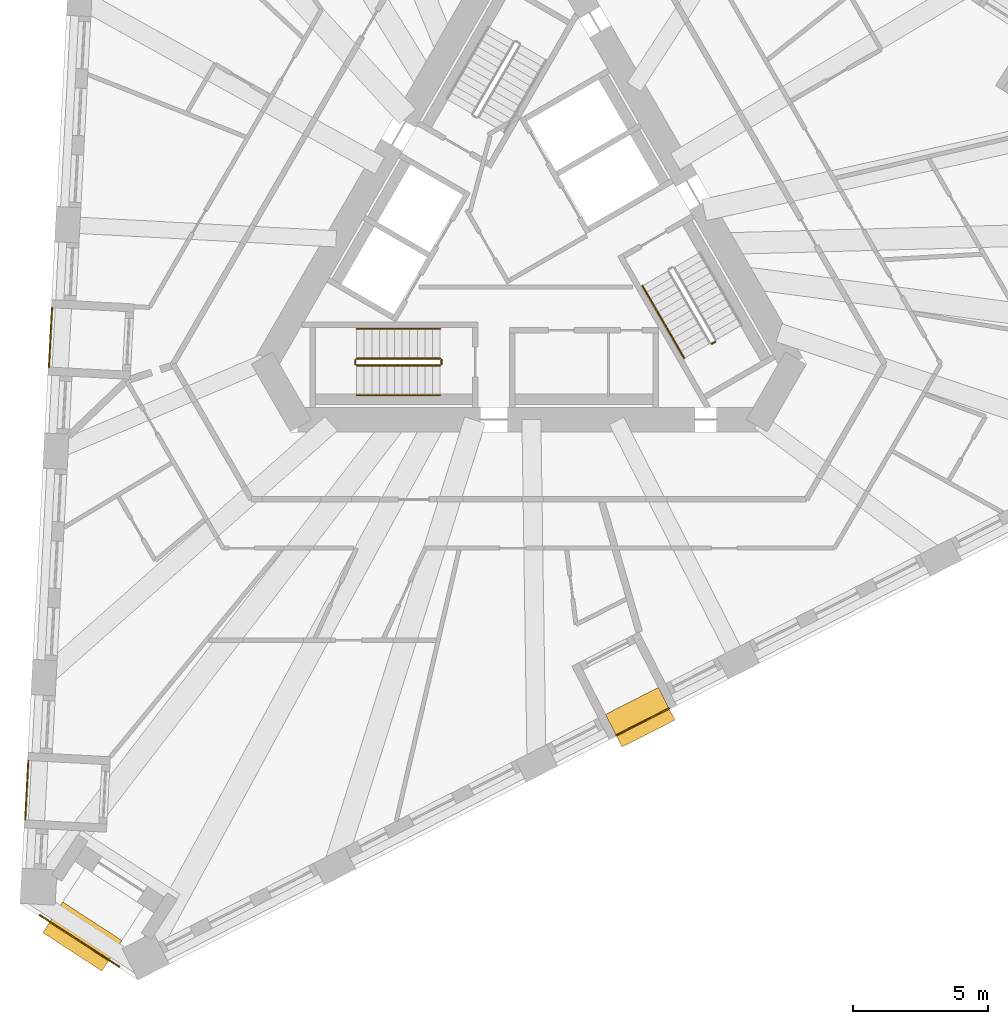
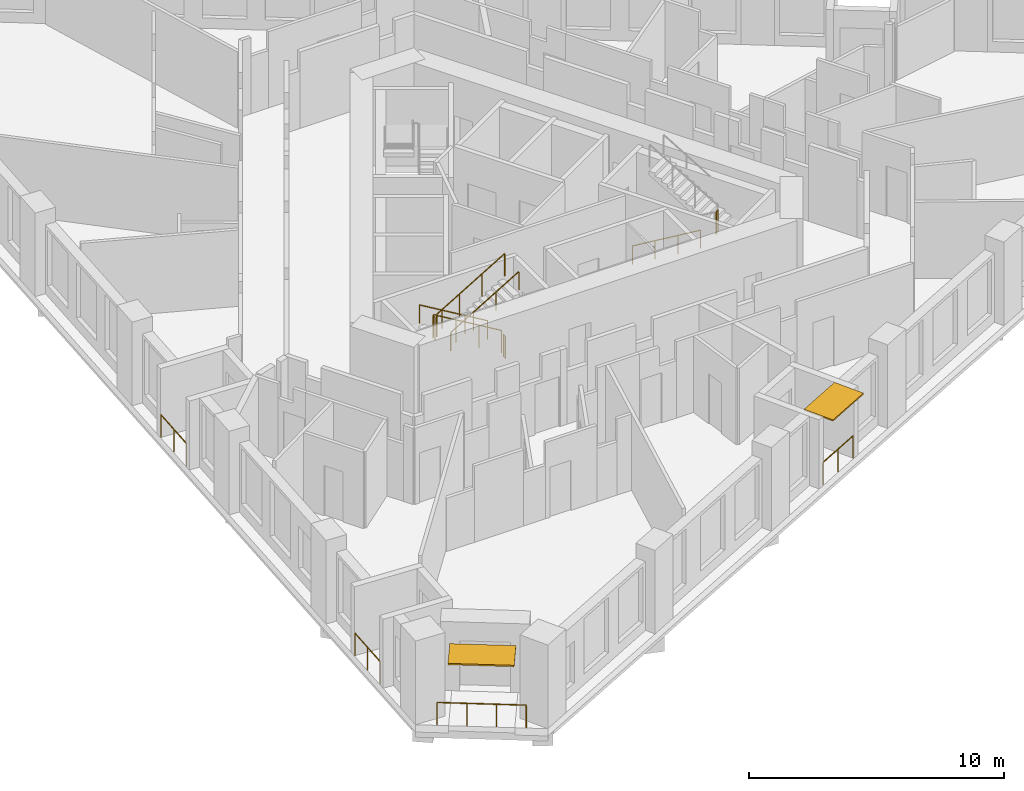
# One storey, part 10 of 13: 12 railings, 2 shading devices.
"""IFC4 building model written with IfcOpenShell, lengths in metres."""

from ifc_helpers import new_model, si_unit, direction, frame, origin, origin_2d, place, context, subcontext, project, spatial, rectangle, circle, extrude, material, layer, layer_set, type_object, element, save


model = new_model("IFC4")

# Units and contexts
model_context = context("Model", 3, precision=1e-05, world=origin(), true_north=direction((0.0, 1.0)))
body_context = subcontext(model_context, "Body", "Model", "MODEL_VIEW")
ifc_project = project(units=[si_unit("LENGTHUNIT", "METRE"), si_unit("AREAUNIT", "SQUARE_METRE"), si_unit("VOLUMEUNIT", "CUBIC_METRE"), si_unit("PLANEANGLEUNIT", "RADIAN"), si_unit("MASSUNIT", "GRAM", prefix="KILO")], contexts=[model_context])

# Site, building, storey
site_placement = place(None, origin())
site = spatial("IfcSite", under=ifc_project, at=site_placement, CompositionType="ELEMENT")
building_placement = place(site_placement, origin())
building = spatial("IfcBuilding", under=site, at=building_placement, Name="Tramontana Tower", CompositionType="ELEMENT")
storey_placement = place(building_placement, frame((0.0, 0.0, 137.60009765625)))
storey = spatial("IfcBuildingStorey", under=building, at=storey_placement, Name="L31", CompositionType="ELEMENT", Elevation=137.60009765625)

# Railings
ifc_material_1 = material(Name="Laminated glass balustrade", Category="glass")
railing_type_1 = type_object("IfcRailingType", Name="GD1 Loggia glass balustrade 1100", PredefinedType="BALUSTRADE", material=ifc_material_1)
for number, where, name in (
    (1, (-17.60791015625, -2.171875, 0.0), "Loggia balustrade L31 G3S0.10"),
    (2, (-18.484130859375, -18.89208984375, 0.0), "Loggia balustrade L31 G3S0.16"),
):
    element("IfcRailing", number, at=place(storey_placement, frame(where)), inside=storey, type_object=railing_type_1, Name=name, PredefinedType="BALUSTRADE", context=body_context, shape_type="SweptSolid", body=[
        extrude(circle(Radius=0.02392578125, at=origin_2d()), frame((0.0, 0.0, 1.076171875), z_axis=(-0.052266372167, -0.998633179071, 0.0), x_axis=(0.998633179071, -0.052266372167, 0.0)), (0.0, 0.0, 1.0), 2.190673828125),
        extrude(circle(Radius=0.02099609375, at=origin_2d()), origin(), (0.0, 0.0, 1.0), 1.052001953125),
        extrude(circle(Radius=0.02099609375, at=origin_2d()), frame((-0.05712890625, -1.09375, 0.0)), (0.0, 0.0, 1.0), 1.052001953125),
        extrude(circle(Radius=0.02099609375, at=origin_2d()), frame((-0.114501953125, -2.187744140625, 0.0)), (0.0, 0.0, 1.0), 1.052001953125),
    ])
railing_1_placement = place(storey_placement, frame((3.225830078125, -17.96337890625, 0.0)))
element("IfcRailing", 3, at=railing_1_placement, inside=storey, type_object=railing_type_1, Name="Loggia balustrade L31 G3S1.7", PredefinedType="BALUSTRADE", context=body_context, shape_type="SweptSolid", body=[
    extrude(circle(Radius=0.02392578125, at=origin_2d()), frame((0.0, 0.0, 1.076171875), z_axis=(0.891013126725, 0.4539775413, 0.0), x_axis=(-0.4539775413, 0.891013126725, 0.0)), (0.0, 0.0, 1.0), 2.1904296875),
    extrude(circle(Radius=0.02099609375, at=origin_2d()), origin(), (0.0, 0.0, 1.0), 1.052001953125),
    extrude(circle(Radius=0.02099609375, at=origin_2d()), frame((0.975830078125, 0.4970703125, 0.0)), (0.0, 0.0, 1.0), 1.052001953125),
    extrude(circle(Radius=0.02099609375, at=origin_2d()), frame((1.95166015625, 0.994384765625, 0.0)), (0.0, 0.0, 1.0), 1.052001953125),
])
railing_2_placement = place(storey_placement, frame((-15.12744140625, -26.50732421875, 0.0)))
element("IfcRailing", 4, at=railing_2_placement, inside=storey, type_object=railing_type_1, Name="Corner loggia balustrade L31 K31", PredefinedType="BALUSTRADE", context=body_context, shape_type="SweptSolid", body=[
    extrude(circle(Radius=0.02392578125, at=origin_2d()), frame((0.0, 0.0, 1.076171875), z_axis=(-0.838665071449, 0.544647498784, 0.0), x_axis=(-0.544647498784, -0.838665071449, 0.0)), (0.0, 0.0, 1.0), 3.5),
    extrude(circle(Radius=0.02099609375, at=origin_2d()), origin(), (0.0, 0.0, 1.0), 1.052001953125),
    extrude(circle(Radius=0.02099609375, at=origin_2d()), frame((-0.978515625, 0.635498046875, 0.0)), (0.0, 0.0, 1.0), 1.052001953125),
    extrude(circle(Radius=0.02099609375, at=origin_2d()), frame((-1.956787109375, 1.270751953125, 0.0)), (0.0, 0.0, 1.0), 1.052001953125),
    extrude(circle(Radius=0.02099609375, at=origin_2d()), frame((-2.935302734375, 1.90625, 0.0)), (0.0, 0.0, 1.0), 1.052001953125),
])

# Shading devices
ifc_material_2 = material(Name="Precast concrete 60 MPa", Category="concrete")
ifc_layer_1 = layer(ifc_material_2, 0.06005859375)
ifc_layer_set_1 = layer_set([ifc_layer_1], Name="SS1 Stone sunshade blade 60")
shading_device_type_1 = type_object("IfcShadingDeviceType", Name="SS1 Stone sunshade blade 60", PredefinedType="USERDEFINED", material=ifc_layer_set_1)
shading_device_1_placement = place(storey_placement, frame((4.113037109375, -17.29248046875, 3.239990234375), z_axis=(0.0, 0.0, 1.0), x_axis=(0.891006524188, 0.45399049974, 0.0)))
element("IfcShadingDevice", 5, at=shading_device_1_placement, inside=storey, type_object=shading_device_type_1, Name="Sunshade L31 G3S1.7", ObjectType="SUNSHADE", PredefinedType="USERDEFINED", context=body_context, shape_type="SweptSolid", body=[
    extrude(rectangle(XDim=2.1904296875, YDim=1.35009765625, at=origin_2d()), origin(), (0.0, 0.0, 1.0), 0.06005859375),
])
ifc_material_3 = material(Name="Precast concrete 60 MPa", Category="concrete")
ifc_layer_2 = layer(ifc_material_3, 0.070068359375)
ifc_layer_set_2 = layer_set([ifc_layer_2], Name="SS2 Stone sunshade blade 70")
shading_device_type_2 = type_object("IfcShadingDeviceType", Name="SS2 Stone sunshade blade 70", PredefinedType="USERDEFINED", material=ifc_layer_set_2)
shading_device_2_placement = place(storey_placement, frame((-16.489013671875, -25.390869140625, 3.22998046875), z_axis=(0.0, 0.0, 1.0), x_axis=(-0.838670567945, 0.544639035015, 0.0)))
element("IfcShadingDevice", 6, at=shading_device_2_placement, inside=storey, type_object=shading_device_type_2, Name="Corner sunshade L31 K31", ObjectType="SUNSHADE", PredefinedType="USERDEFINED", context=body_context, shape_type="SweptSolid", body=[
    extrude(rectangle(XDim=2.60009765625, YDim=1.35009765625, at=origin_2d()), origin(), (0.0, 0.0, 1.0), 0.070068359375),
])

# Railings
ifc_material_4 = material(Name="Painted steel", Category="steel")
railing_type_2 = type_object("IfcRailingType", Name="STAIR GUARD 1100", PredefinedType="GUARDRAIL", material=ifc_material_4)
railing_3_placement = place(storey_placement, frame((-3.280029296875, -4.050048828125, 0.16650390625)))
element("IfcRailing", 7, at=railing_3_placement, inside=storey, type_object=railing_type_2, Name="L31 ST2 stair guard 1", PredefinedType="GUARDRAIL", context=body_context, shape_type="SweptSolid", body=[
    extrude(circle(Radius=0.02392578125, at=origin_2d()), frame((0.0, 0.0, 1.076171875), z_axis=(-0.85927862911, 0.0, 0.511507807912), x_axis=(0.0, -1.0, 0.0)), (0.0, 0.0, 1.0), 3.58447265625),
    extrude(circle(Radius=0.02099609375, at=origin_2d()), origin(), (0.0, 0.0, 1.0), 1.052001953125),
    extrude(circle(Radius=0.02099609375, at=origin_2d()), frame((-1.026611328125, 0.0, 0.611083984375)), (0.0, 0.0, 1.0), 1.052001953125),
    extrude(circle(Radius=0.02099609375, at=origin_2d()), frame((-2.053466796875, 0.0, 1.222412109375)), (0.0, 0.0, 1.0), 1.052001953125),
    extrude(circle(Radius=0.02099609375, at=origin_2d()), frame((-3.080078125, 0.0, 1.83349609375)), (0.0, 0.0, 1.0), 1.052001953125),
])
railing_4_placement = place(storey_placement, frame((-6.360107421875, -4.300048828125, 2.16650390625)))
element("IfcRailing", 8, at=railing_4_placement, inside=storey, type_object=railing_type_2, Name="L31 ST2 stair guard 2", PredefinedType="GUARDRAIL", context=body_context, shape_type="SweptSolid", body=[
    extrude(circle(Radius=0.02392578125, at=origin_2d()), frame((0.0, 0.0, 1.076171875), z_axis=(0.85927862911, 0.0, 0.511507807912), x_axis=(0.0, 1.0, 0.0)), (0.0, 0.0, 1.0), 3.58447265625),
    extrude(circle(Radius=0.02099609375, at=origin_2d()), origin(), (0.0, 0.0, 1.0), 1.052001953125),
    extrude(circle(Radius=0.02099609375, at=origin_2d()), frame((1.026611328125, 0.0, 0.611083984375)), (0.0, 0.0, 1.0), 1.052001953125),
    extrude(circle(Radius=0.02099609375, at=origin_2d()), frame((2.053466796875, 0.0, 1.222412109375)), (0.0, 0.0, 1.0), 1.052001953125),
    extrude(circle(Radius=0.02099609375, at=origin_2d()), frame((3.080078125, 0.0, 1.83349609375)), (0.0, 0.0, 1.0), 1.052001953125),
])
for number, where, name in (
    (9, (-6.409912109375, -4.10009765625, 2.0), "L31 ST2 stair guard 3"),
    (10, (-3.22998046875, -4.10009765625, 0.0), "L31 ST2 stair guard 4"),
):
    element("IfcRailing", number, at=place(storey_placement, frame(where)), inside=storey, type_object=railing_type_2, Name=name, PredefinedType="GUARDRAIL", context=body_context, shape_type="SweptSolid", body=[
        extrude(circle(Radius=0.02392578125, at=origin_2d()), frame((0.0, 0.0, 1.076171875), z_axis=(0.0, -1.0, 0.0), x_axis=(1.0, 0.0, 0.0)), (0.0, 0.0, 1.0), 0.14990234375),
        extrude(circle(Radius=0.02099609375, at=origin_2d()), origin(), (0.0, 0.0, 1.0), 1.052001953125),
        extrude(circle(Radius=0.02099609375, at=origin_2d()), frame((0.0, -0.14990234375, 0.0)), (0.0, 0.0, 1.0), 1.052001953125),
    ])
railing_5_placement = place(storey_placement, frame((6.755615234375, -3.501220703125, 2.0)))
element("IfcRailing", 11, at=railing_5_placement, inside=storey, type_object=railing_type_2, Name="L31 ST3 stair guard 3", PredefinedType="GUARDRAIL", context=body_context, shape_type="SweptSolid", body=[
    extrude(circle(Radius=0.02392578125, at=origin_2d()), frame((0.0, 0.0, 1.076171875), z_axis=(0.866131372301, 0.499816412211, 0.0), x_axis=(-0.499816412211, 0.866131372301, 0.0)), (0.0, 0.0, 1.0), 0.14990234375),
    extrude(circle(Radius=0.02099609375, at=origin_2d()), origin(), (0.0, 0.0, 1.0), 1.052001953125),
    extrude(circle(Radius=0.02099609375, at=origin_2d()), frame((0.1298828125, 0.074951171875, 0.0)), (0.0, 0.0, 1.0), 1.052001953125),
])
ifc_material_5 = material(Name="Painted steel", Category="steel")
railing_type_3 = type_object("IfcRailingType", Name="STAIR HANDRAIL 900", PredefinedType="HANDRAIL", material=ifc_material_5)
railing_6_placement = place(storey_placement, frame((-3.280029296875, -2.949951171875, 0.16650390625)))
element("IfcRailing", 12, at=railing_6_placement, inside=storey, type_object=railing_type_3, Name="L31 ST2 stair handrail 1", PredefinedType="HANDRAIL", context=body_context, shape_type="SweptSolid", body=[
    extrude(circle(Radius=0.02392578125, at=origin_2d()), frame((0.0, 0.0, 0.8759765625), z_axis=(-0.85927862911, 0.0, 0.511507807912), x_axis=(0.0, -1.0, 0.0)), (0.0, 0.0, 1.0), 3.58447265625),
    extrude(circle(Radius=0.02099609375, at=origin_2d()), origin(), (0.0, 0.0, 1.0), 0.851806640625),
    extrude(circle(Radius=0.02099609375, at=origin_2d()), frame((-1.026611328125, 0.0, 0.611083984375)), (0.0, 0.0, 1.0), 0.851806640625),
    extrude(circle(Radius=0.02099609375, at=origin_2d()), frame((-2.053466796875, 0.0, 1.222412109375)), (0.0, 0.0, 1.0), 0.851806640625),
    extrude(circle(Radius=0.02099609375, at=origin_2d()), frame((-3.080078125, 0.0, 1.83349609375)), (0.0, 0.0, 1.0), 0.851806640625),
])
railing_7_placement = place(storey_placement, frame((-6.360107421875, -5.39990234375, 2.16650390625)))
element("IfcRailing", 13, at=railing_7_placement, inside=storey, type_object=railing_type_3, Name="L31 ST2 stair handrail 2", PredefinedType="HANDRAIL", context=body_context, shape_type="SweptSolid", body=[
    extrude(circle(Radius=0.02392578125, at=origin_2d()), frame((0.0, 0.0, 0.8759765625), z_axis=(0.85927862911, 0.0, 0.511507807912), x_axis=(0.0, 1.0, 0.0)), (0.0, 0.0, 1.0), 3.58447265625),
    extrude(circle(Radius=0.02099609375, at=origin_2d()), origin(), (0.0, 0.0, 1.0), 0.851806640625),
    extrude(circle(Radius=0.02099609375, at=origin_2d()), frame((1.026611328125, 0.0, 0.611083984375)), (0.0, 0.0, 1.0), 0.851806640625),
    extrude(circle(Radius=0.02099609375, at=origin_2d()), frame((2.053466796875, 0.0, 1.222412109375)), (0.0, 0.0, 1.0), 0.851806640625),
    extrude(circle(Radius=0.02099609375, at=origin_2d()), frame((3.080078125, 0.0, 1.83349609375)), (0.0, 0.0, 1.0), 0.851806640625),
])
railing_8_placement = place(storey_placement, frame((4.19482421875, -1.365478515625, 0.16650390625)))
element("IfcRailing", 14, at=railing_8_placement, inside=storey, type_object=railing_type_3, Name="L31 ST3 stair handrail 1", PredefinedType="HANDRAIL", context=body_context, shape_type="SweptSolid", body=[
    extrude(circle(Radius=0.02392578125, at=origin_2d()), frame((0.0, 0.0, 0.8759765625), z_axis=(0.429634447492, -0.7441639146, 0.511502013422), x_axis=(0.866029832698, 0.499992328818, 0.0)), (0.0, 0.0, 1.0), 3.58447265625),
    extrude(circle(Radius=0.02099609375, at=origin_2d()), origin(), (0.0, 0.0, 1.0), 0.851806640625),
    extrude(circle(Radius=0.02099609375, at=origin_2d()), frame((0.513427734375, -0.88916015625, 0.611083984375)), (0.0, 0.0, 1.0), 0.851806640625),
    extrude(circle(Radius=0.02099609375, at=origin_2d()), frame((1.026611328125, -1.7783203125, 1.222412109375)), (0.0, 0.0, 1.0), 0.851806640625),
    extrude(circle(Radius=0.02099609375, at=origin_2d()), frame((1.5400390625, -2.66748046875, 1.83349609375)), (0.0, 0.0, 1.0), 0.851806640625),
])

save(model, "model.ifc")
